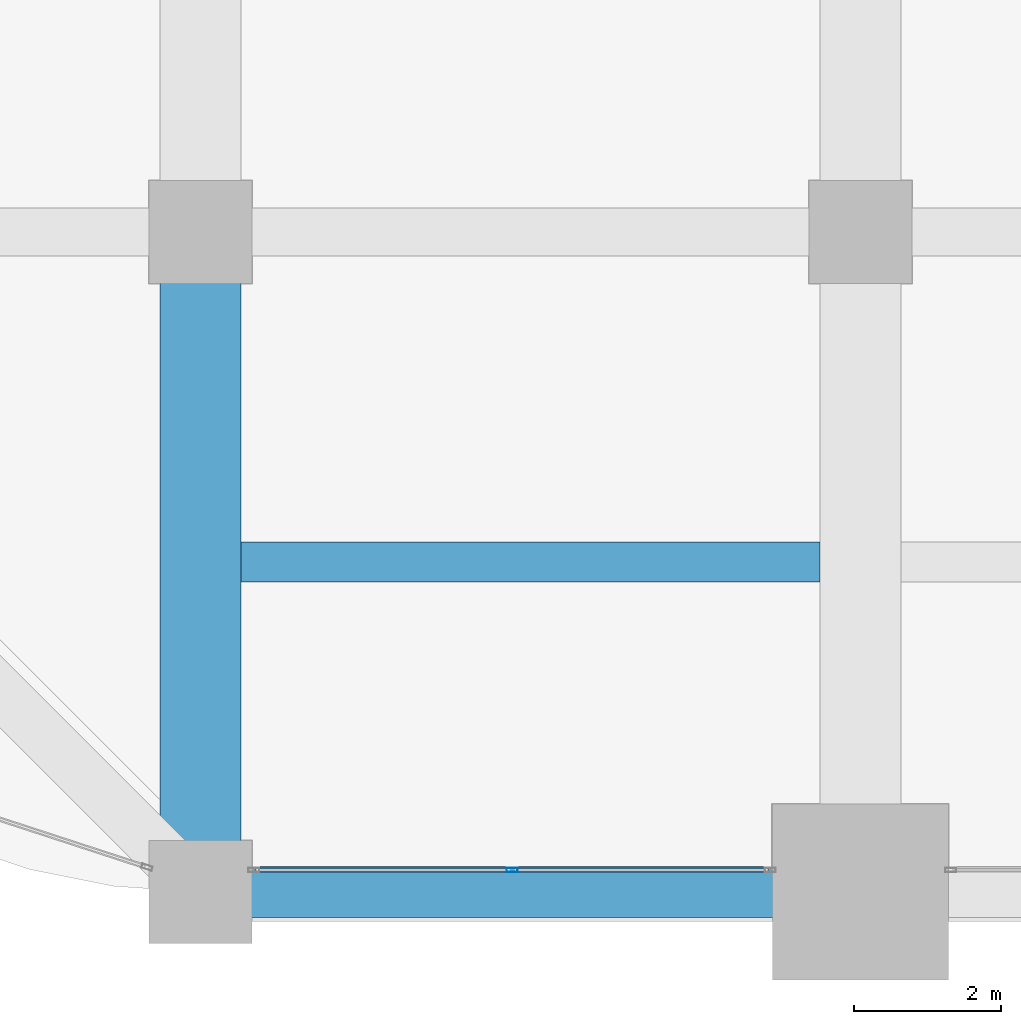
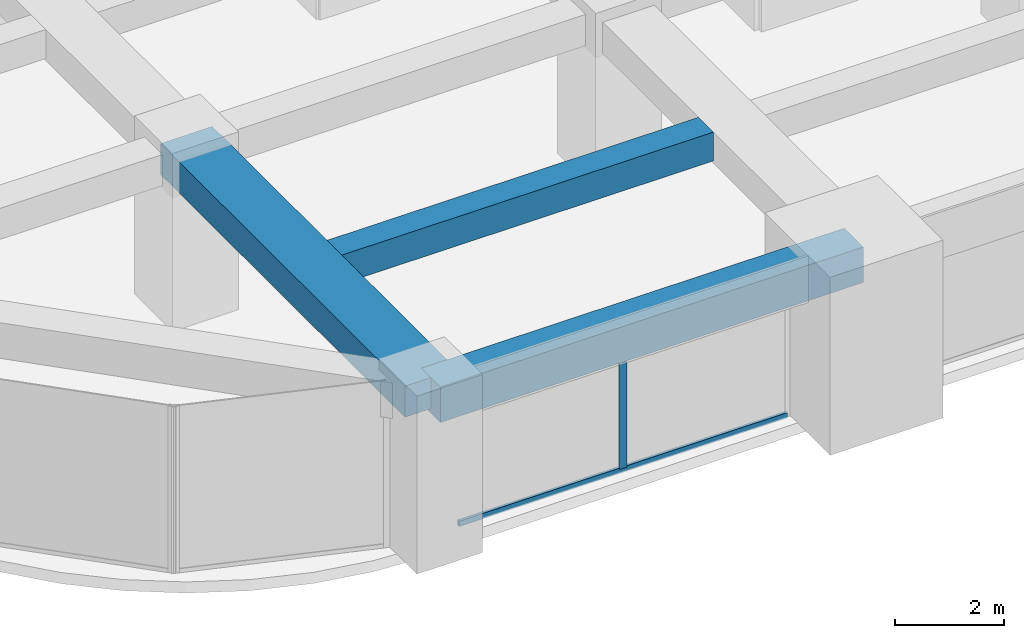
# One storey, part 3 of 32: 3 beams, 2 members, 1 element without a shape of its own.
"""IFC4 building model written with IfcOpenShell, lengths in metres."""

from ifc_helpers import new_model, si_unit, direction, frame, origin, origin_2d, place, context, subcontext, project, spatial, rectangle, hollow_rectangle, extrude, material, material_profile, profile_set, type_object, element, aggregate, save


model = new_model("IFC4")

# Units and contexts
model_context = context("Model", 3, precision=1e-05, world=origin(), true_north=direction((0.0, 1.0)))
body_context = subcontext(model_context, "Body", "Model", "MODEL_VIEW")
ifc_project = project(units=[si_unit("LENGTHUNIT", "METRE"), si_unit("AREAUNIT", "SQUARE_METRE"), si_unit("VOLUMEUNIT", "CUBIC_METRE"), si_unit("PLANEANGLEUNIT", "RADIAN"), si_unit("MASSUNIT", "GRAM", prefix="KILO")], contexts=[model_context])

# Site, building, storey
site_placement = place(None, origin())
site = spatial("IfcSite", under=ifc_project, at=site_placement, CompositionType="ELEMENT")
building_placement = place(site_placement, origin())
building = spatial("IfcBuilding", under=site, at=building_placement, Name="Zorevar Civic Tower", CompositionType="ELEMENT")
storey_placement = place(building_placement, frame((0.0, 0.0, 198.199951171875)))
storey = spatial("IfcBuildingStorey", under=building, at=storey_placement, Name="L48", CompositionType="ELEMENT", Elevation=198.199951171875)

# Beams
ifc_material_1 = material(Name="Concrete C50/60", Category="concrete")
ifc_material_profile_1 = material_profile(ifc_material_1, rectangle(XDim=1.10009765625, YDim=0.699951171875, at=origin_2d()), Name="RC 1100x700")
ifc_profile_set_1 = profile_set([ifc_material_profile_1], Name="Concrete C50/60")
beam_type_1 = type_object("IfcBeamType", Name="Beam RC 1100x700", PredefinedType="BEAM", material=ifc_profile_set_1)
beam_1_placement = place(storey_placement, frame((9.0, 0.0, 3.400146484375), z_axis=(0.0, 1.0, 0.0), x_axis=(-1.0, 0.0, 0.0)))
element("IfcBeam", 1, at=beam_1_placement, inside=storey, type_object=beam_type_1, Name="Girder L49", PredefinedType="BEAM", context=body_context, shape_type="SweptSolid", body=[
    extrude(rectangle(XDim=1.10009765625, YDim=0.699951171875, at=origin_2d()), origin(), (0.0, 0.0, 1.0), 9.0),
])
ifc_material_2 = material(Name="Concrete C50/60", Category="concrete")
ifc_material_profile_2 = material_profile(ifc_material_2, rectangle(XDim=0.550048828125, YDim=0.64990234375, at=origin_2d()), Name="RC 550x650")
ifc_profile_set_2 = profile_set([ifc_material_profile_2], Name="Concrete C50/60")
beam_type_2 = type_object("IfcBeamType", Name="Beam RC 550x650", PredefinedType="BEAM", material=ifc_profile_set_2)
beam_2_placement = place(storey_placement, frame((9.550048828125, 4.5, 3.425048828125), z_axis=(1.0, 0.0, 0.0), x_axis=(0.0, 1.0, 0.0)))
element("IfcBeam", 2, at=beam_2_placement, inside=storey, type_object=beam_type_2, Name="Secondary beam L49", PredefinedType="BEAM", context=body_context, shape_type="SweptSolid", body=[
    extrude(rectangle(XDim=0.550048828125, YDim=0.64990234375, at=origin_2d()), origin(), (0.0, 0.0, 1.0), 7.89990234375),
])

# Curtain wall, members
ifc_material_3 = material(Name="Dark grey solar-control glass in black aluminium frame", Category="aluminium")
curtain_wall_type = type_object("IfcCurtainWallType", Name="Curtain wall CW4 high zone", PredefinedType="NOTDEFINED", material=ifc_material_3)
curtain_wall_placement = place(storey_placement, origin())
curtain_wall = element("IfcCurtainWall", 3, at=curtain_wall_placement, inside=storey, type_object=curtain_wall_type, Name="CW4 L48", PredefinedType="NOTDEFINED")
ifc_material_4 = material(Name="Aluminium, black anodised", Category="aluminium")
ifc_material_profile_3 = material_profile(ifc_material_4, hollow_rectangle(XDim=0.06005859375, YDim=0.14990234375, WallThickness=0.00390625, at=origin_2d()), Name="AL 150x60x4")
ifc_profile_set_3 = profile_set([ifc_material_profile_3], Name="Aluminium, black anodised")
member_type_1 = type_object("IfcMemberType", Name="CW4 mullion AL 150x60x4", PredefinedType="MULLION", material=ifc_profile_set_3)
member_1_placement = place(storey_placement, frame((13.25, 0.300048828125, 0.06005859375), z_axis=(0.0, 0.0, 1.0), x_axis=(0.0, 1.0, 0.0)))
member_1 = element("IfcMember", 4, at=member_1_placement, type_object=member_type_1, Name="CW4 mullion 2", PredefinedType="MULLION", context=body_context, shape_type="SweptSolid", body=[
    extrude(hollow_rectangle(XDim=0.06005859375, YDim=0.14990234375, WallThickness=0.00390625, at=origin_2d()), origin(), (0.0, 0.0, 1.0), 2.889892578125),
])
ifc_material_5 = material(Name="Aluminium, black anodised", Category="aluminium")
ifc_material_profile_4 = material_profile(ifc_material_5, hollow_rectangle(XDim=0.06005859375, YDim=0.1201171875, WallThickness=0.0029296875, at=origin_2d()), Name="AL 120x60x3")
ifc_profile_set_4 = profile_set([ifc_material_profile_4], Name="Aluminium, black anodised")
member_type_2 = type_object("IfcMemberType", Name="CW4 transom AL 120x60x3", PredefinedType="USERDEFINED", material=ifc_profile_set_4)
member_2_placement = place(storey_placement, frame((9.760009765625, 0.300048828125, 0.030029296875), z_axis=(1.0, 0.0, 0.0), x_axis=(0.0, 1.0, 0.0)))
member_2 = element("IfcMember", 5, at=member_2_placement, type_object=member_type_2, Name="CW4 sill transom", ObjectType="TRANSOM", PredefinedType="USERDEFINED", context=body_context, shape_type="SweptSolid", body=[
    extrude(hollow_rectangle(XDim=0.06005859375, YDim=0.1201171875, WallThickness=0.0029296875, at=origin_2d()), origin(), (0.0, 0.0, 1.0), 6.97998046875),
])
aggregate(curtain_wall, [member_1, member_2])

# Beam
ifc_material_6 = material(Name="Concrete C50/60", Category="concrete")
ifc_material_profile_5 = material_profile(ifc_material_6, rectangle(XDim=0.699951171875, YDim=0.800048828125, at=origin_2d()), Name="RC 700x800")
ifc_profile_set_5 = profile_set([ifc_material_profile_5], Name="Concrete C50/60")
beam_type_3 = type_object("IfcBeamType", Name="Edge beam RC 700x800", PredefinedType="SPANDREL", material=ifc_profile_set_5)
beam_3_placement = place(storey_placement, frame((9.0, 0.0, 3.35009765625), z_axis=(1.0, 0.0, 0.0), x_axis=(0.0, 1.0, 0.0)))
element("IfcBeam", 6, at=beam_3_placement, inside=storey, type_object=beam_type_3, Name="Edge beam L49", PredefinedType="SPANDREL", context=body_context, shape_type="SweptSolid", body=[
    extrude(rectangle(XDim=0.699951171875, YDim=0.800048828125, at=origin_2d()), origin(), (0.0, 0.0, 1.0), 9.0),
])

save(model, "model.ifc")
